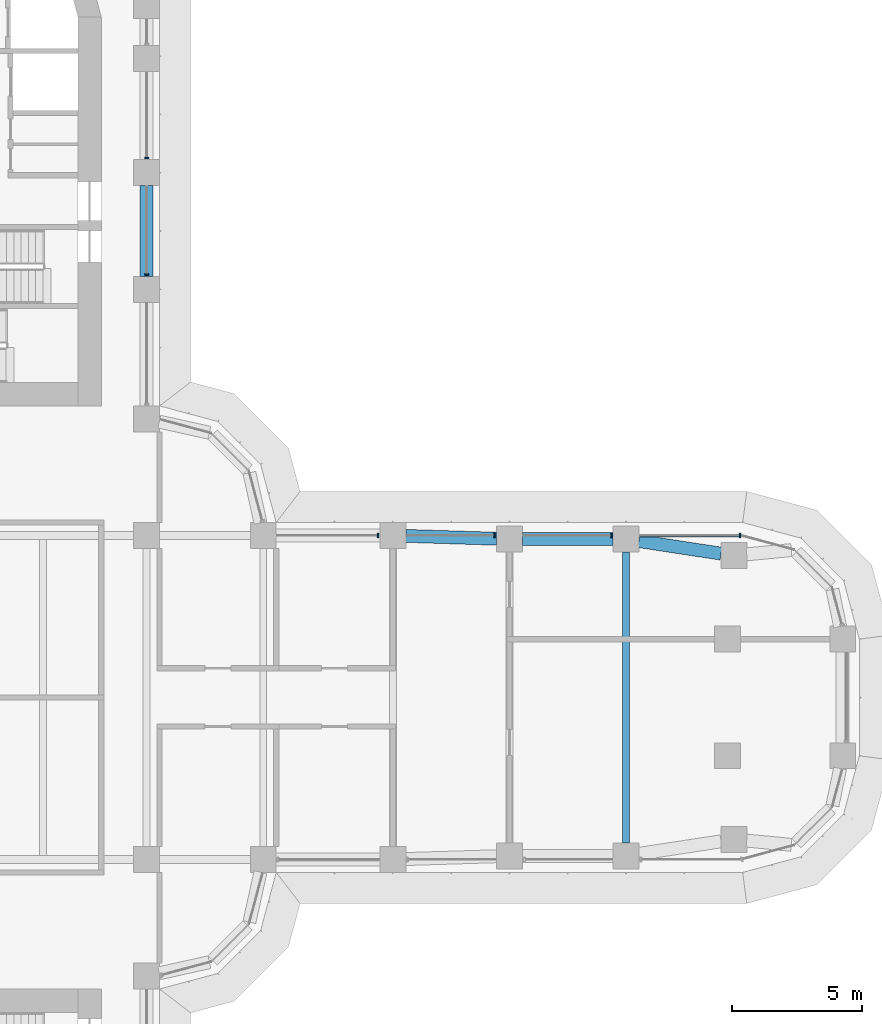
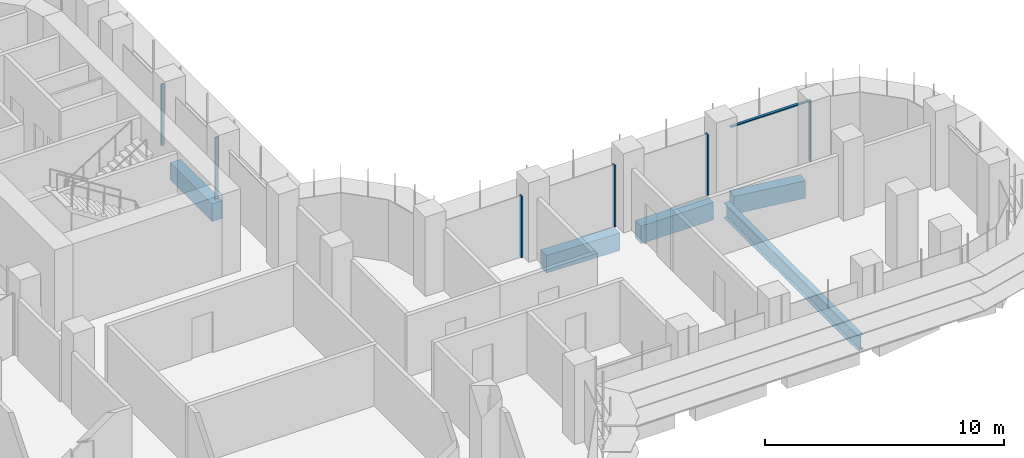
# One storey, part 9 of 23: 7 members, 5 beams, 2 elements without a shape of their own.
"""IFC4 building model written with IfcOpenShell, lengths in metres."""

from ifc_helpers import new_model, si_unit, direction, frame, origin, origin_2d, place, context, subcontext, project, spatial, polyline, rectangle, i_section, outline, extrude, source, transform, mapped, material, material_profile, profile_set, type_object, element, aggregate, save


model = new_model("IFC4")

# Units and contexts
model_context = context("Model", 3, precision=1e-05, world=origin(), true_north=direction((0.0, 1.0)))
body_context = subcontext(model_context, "Body", "Model", "MODEL_VIEW")
ifc_project = project(units=[si_unit("LENGTHUNIT", "METRE"), si_unit("AREAUNIT", "SQUARE_METRE"), si_unit("VOLUMEUNIT", "CUBIC_METRE"), si_unit("PLANEANGLEUNIT", "RADIAN"), si_unit("MASSUNIT", "GRAM", prefix="KILO")], contexts=[model_context])

# Site, building, storey
site_placement = place(None, origin())
site = spatial("IfcSite", under=ifc_project, at=site_placement, CompositionType="ELEMENT")
building_placement = place(site_placement, origin())
building = spatial("IfcBuilding", under=site, at=building_placement, Name="Zarbagh Exchange Tower", CompositionType="ELEMENT")
storey_placement = place(building_placement, frame((0.0, 0.0, 43.800048828125)))
storey = spatial("IfcBuildingStorey", under=building, at=storey_placement, Name="L09", CompositionType="ELEMENT", Elevation=43.800048828125)

# Beams
ifc_material_1 = material(Name="Steel ASTM A992 Gr 50", Category="steel")
ifc_material_profile_1 = material_profile(ifc_material_1, i_section(OverallWidth=0.2666015625, OverallDepth=0.76708984375, WebThickness=0.014892578125, FlangeThickness=0.023681640625, at=origin_2d()), Name="W30X124")
ifc_profile_set_1 = profile_set([ifc_material_profile_1], Name="Steel ASTM A992 Gr 50")
beam_type_1 = type_object("IfcBeamType", Name="Floor beam W30X124", PredefinedType="BEAM", material=ifc_profile_set_1)
beam_1_placement = place(storey_placement, frame((24.75, -5.610107421875, -0.533447265625), z_axis=(0.0, 1.0, 0.0), x_axis=(-1.0, 0.0, 0.0)))
element("IfcBeam", 1, at=beam_1_placement, inside=storey, type_object=beam_type_1, Name="Steel floor beam", PredefinedType="BEAM", context=body_context, shape_type="SweptSolid", body=[
    extrude(i_section(OverallWidth=0.2666015625, OverallDepth=0.76708984375, WebThickness=0.014892578125, FlangeThickness=0.023681640625, at=origin_2d()), origin(), (0.0, 0.0, 1.0), 11.22021484375),
])
ifc_material_2 = material(Name="Concrete C60/75", Category="concrete")
ifc_material_profile_2 = material_profile(ifc_material_2, rectangle(XDim=0.5, YDim=0.89990234375, at=origin_2d()), Name="RC spandrel beam 500 x 900 C60/75")
ifc_profile_set_2 = profile_set([ifc_material_profile_2], Name="Concrete C60/75")
beam_type_2 = type_object("IfcBeamType", Name="RC spandrel beam 500 x 900 C60/75", PredefinedType="SPANDREL", material=ifc_profile_set_2)
beam_2_placement = place(storey_placement, frame((6.25, 19.75, -0.60009765625), z_axis=(0.0, -1.0, 0.0), x_axis=(1.0, 0.0, 0.0)))
element("IfcBeam", 2, at=beam_2_placement, inside=storey, type_object=beam_type_2, Name="RC spandrel beam", PredefinedType="SPANDREL", context=body_context, shape_type="SweptSolid", body=[
    extrude(rectangle(XDim=0.5, YDim=0.89990234375, at=origin_2d()), origin(), (0.0, 0.0, 1.0), 3.5),
])
beam_3_placement = place(storey_placement, frame((16.249755859375, 6.234619140625, -0.60009765625), z_axis=(0.999514385708, -0.031160756759, 0.0), x_axis=(0.031160756759, 0.999514385708, 0.0)))
element("IfcBeam", 3, at=beam_3_placement, inside=storey, type_object=beam_type_2, Name="RC spandrel beam", PredefinedType="SPANDREL", context=body_context, shape_type="SweptSolid", body=[
    extrude(rectangle(XDim=0.5, YDim=0.89990234375, at=origin_2d()), origin(), (0.0, 0.0, 1.0), 3.502197265625),
])
beam_4_placement = place(storey_placement, frame((20.75, 6.110107421875, -0.60009765625), z_axis=(1.0, 0.0, 0.0), x_axis=(0.0, 1.0, 0.0)))
element("IfcBeam", 4, at=beam_4_placement, inside=storey, type_object=beam_type_2, Name="RC spandrel beam", PredefinedType="SPANDREL", context=body_context, shape_type="SweptSolid", body=[
    extrude(rectangle(XDim=0.5, YDim=0.89990234375, at=origin_2d()), origin(), (0.0, 0.0, 1.0), 3.5),
])
beam_5_placement = place(storey_placement, frame((25.244384765625, 6.034423828125, -0.60009765625), z_axis=(0.988545350976, -0.150924116903, 0.0), x_axis=(0.150924116903, 0.988545350976, 0.0)))
element("IfcBeam", 5, at=beam_5_placement, inside=storey, type_object=beam_type_2, Name="RC spandrel beam", PredefinedType="SPANDREL", context=body_context, shape_type="SweptSolid", body=[
    extrude(rectangle(XDim=0.5, YDim=0.89990234375, at=origin_2d()), origin(), (0.0, 0.0, 1.0), 3.2060546875),
])

# Curtain wall, members
ifc_material_3 = material(Name="Anodised aluminium frame and glazing", Category="aluminium")
curtain_wall_type = type_object("IfcCurtainWallType", Name="CWA Ribbon glazing, lower zones", PredefinedType="NOTDEFINED", material=ifc_material_3)
curtain_wall_1_placement = place(storey_placement, origin())
curtain_wall_1 = element("IfcCurtainWall", 6, at=curtain_wall_1_placement, inside=storey, type_object=curtain_wall_type, Name="CWA16 curtain wall", PredefinedType="NOTDEFINED")
ifc_material_4 = material(Name="Anodised aluminium frame", Category="aluminium")
member_type_1 = type_object("IfcMemberType", Name="MUA Mullion, anodised aluminium frame", PredefinedType="MULLION", material=ifc_material_4)
shared_shape_1 = source(origin(), body_context, "Body", "SweptSolid", [
    extrude(outline(polyline([(0.0, -0.080078125), (0.06005859375, -0.080078125), (0.06005859375, 0.080078125), (0.0, 0.080078125), (0.0, -0.080078125)])), origin(), (0.0, 0.0, 1.0), 3.14990234375),
])
placement = place(storey_placement, origin())
member_1 = element("IfcMember", 7, at=placement, type_object=member_type_1, Name="CWA16 mullion 1.1", PredefinedType="MULLION", context=body_context, shape_type="MappedRepresentation", body=[
    mapped(shared_shape_1, transform((29.18408203125, 6.25, 0.0), x_axis=(-1.0, 0.0, 0.0), y_axis=(0.0, -1.0, 0.0), z_axis=(0.0, 0.0, 1.0))),
])
member_2 = element("IfcMember", 8, at=placement, type_object=member_type_1, Name="CWA16 mullion 2.1", PredefinedType="MULLION", context=body_context, shape_type="MappedRepresentation", body=[
    mapped(shared_shape_1, transform((24.2099609375, 6.25, 0.0), x_axis=(-1.0, 0.0, 0.0), y_axis=(0.0, -1.0, 0.0), z_axis=(0.0, 0.0, 1.0))),
])
member_3 = element("IfcMember", 9, at=placement, type_object=member_type_1, Name="CWA16 mullion 3.1", PredefinedType="MULLION", context=body_context, shape_type="MappedRepresentation", body=[
    mapped(shared_shape_1, transform((19.7099609375, 6.25, 0.0), x_axis=(-1.0, 0.0, 0.0), y_axis=(0.0, -1.0, 0.0), z_axis=(0.0, 0.0, 1.0))),
])
member_4 = element("IfcMember", 10, at=placement, type_object=member_type_1, Name="CWA16 mullion 4.1", PredefinedType="MULLION", context=body_context, shape_type="MappedRepresentation", body=[
    mapped(shared_shape_1, transform((15.2099609375, 6.25, 0.0), x_axis=(-1.0, 0.0, 0.0), y_axis=(0.0, -1.0, 0.0), z_axis=(0.0, 0.0, 1.0))),
])

curtain_wall_2_placement = place(storey_placement, origin())
curtain_wall_2 = element("IfcCurtainWall", 11, at=curtain_wall_2_placement, inside=storey, type_object=curtain_wall_type, Name="CWA20 curtain wall", PredefinedType="NOTDEFINED")
member_5 = element("IfcMember", 12, at=placement, type_object=member_type_1, Name="CWA20 mullion 2.1", PredefinedType="MULLION", context=body_context, shape_type="MappedRepresentation", body=[
    mapped(shared_shape_1, transform((6.25, 16.2900390625, 0.0), x_axis=(0.0, 1.0, 0.0), y_axis=(-1.0, 0.0, 0.0), z_axis=(0.0, 0.0, 1.0))),
])
member_6 = element("IfcMember", 13, at=placement, type_object=member_type_1, Name="CWA20 mullion 3.1", PredefinedType="MULLION", context=body_context, shape_type="MappedRepresentation", body=[
    mapped(shared_shape_1, transform((6.25, 20.7900390625, 0.0), x_axis=(0.0, 1.0, 0.0), y_axis=(-1.0, 0.0, 0.0), z_axis=(0.0, 0.0, 1.0))),
])
aggregate(curtain_wall_2, [member_5, member_6])

# Member
member_type_2 = type_object("IfcMemberType", Name="TRA Transom, anodised aluminium frame", PredefinedType="USERDEFINED", material=ifc_material_4)
shared_shape_2 = source(origin(), body_context, "Body", "SweptSolid", [
    extrude(outline(polyline([(-0.06005859375, -0.06005859375), (0.0, -0.06005859375), (0.0, 0.06005859375), (-0.06005859375, 0.06005859375), (-0.06005859375, -0.06005859375)])), origin(), (0.0, 0.0, 1.0), 3.834228515625),
])
member_7 = element("IfcMember", 14, at=placement, type_object=member_type_2, Name="CWA16 transom 1.1", ObjectType="TRANSOM", PredefinedType="USERDEFINED", context=body_context, shape_type="MappedRepresentation", body=[
    mapped(shared_shape_2, transform((29.124267578125, 6.25, 3.14990234375), x_axis=(0.0, 0.0, 1.0), y_axis=(0.0, 1.0, 0.0), z_axis=(-1.0, 0.0, 0.0))),
])

aggregate(curtain_wall_1, [member_1, member_7, member_2, member_3, member_4])

save(model, "model.ifc")
